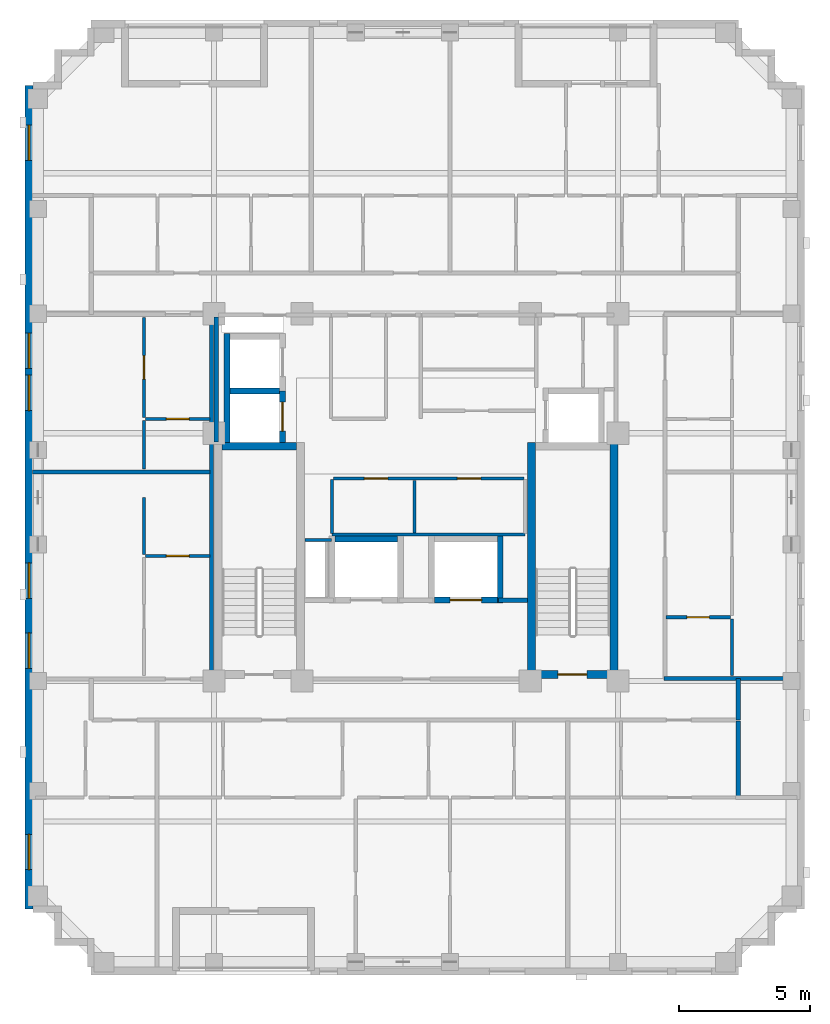
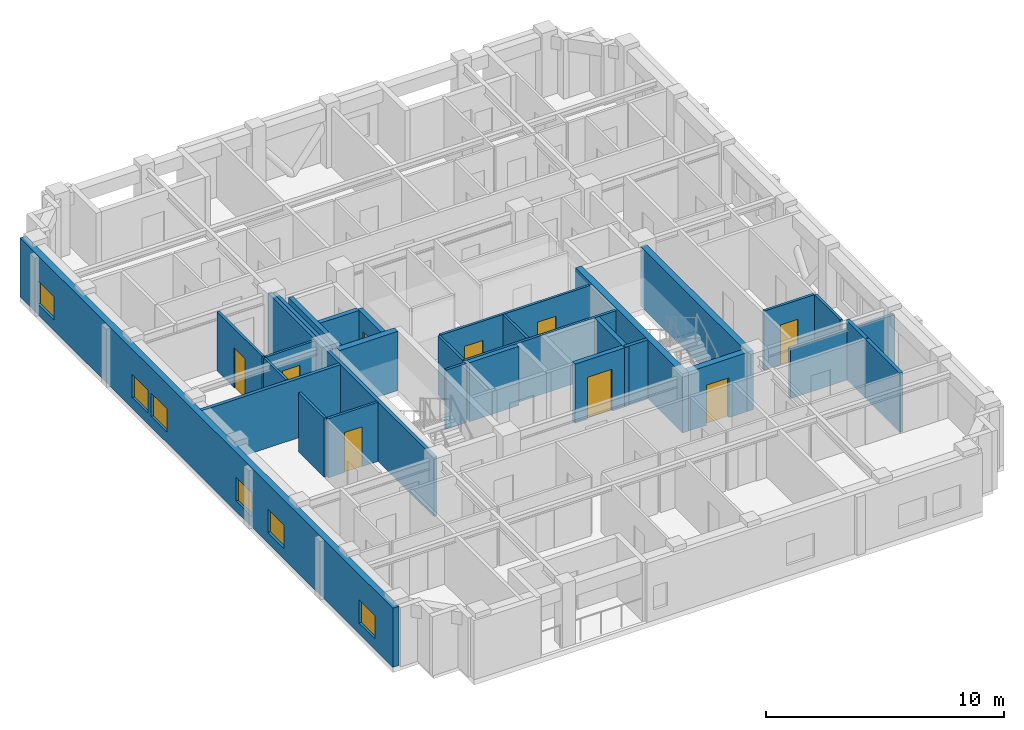
# One storey, part 4 of 11: 30 walls, 9 doors, 6 windows, 15 openings.
"""IFC4 building model written with IfcOpenShell, lengths in metres."""

from ifc_helpers import new_model, si_unit, derived_unit, direction, frame, frame_2d, origin, place, context, subcontext, project, spatial, rectangle, extrude, material, layer, layer_set, type_object, element, fill, save


model = new_model("IFC4")

# Units and contexts
model_context = context("Model", 3, precision=1e-05, world=origin(), true_north=direction((0.0, 1.0)))
body_context = subcontext(model_context, "Body", "Model", "MODEL_VIEW")
ifc_project = project(units=[si_unit("LENGTHUNIT", "METRE"), si_unit("AREAUNIT", "SQUARE_METRE"), si_unit("VOLUMEUNIT", "CUBIC_METRE"), si_unit("PLANEANGLEUNIT", "RADIAN"), si_unit("MASSUNIT", "GRAM", prefix="KILO"), derived_unit("THERMALTRANSMITTANCEUNIT", [(si_unit("MASSUNIT", "GRAM", prefix="KILO"), 1), (si_unit("TIMEUNIT", "SECOND"), -3), (si_unit("THERMODYNAMICTEMPERATUREUNIT", "KELVIN"), -1)])], contexts=[model_context])

# Site, building, storey
site_placement = place(None, origin())
site = spatial("IfcSite", under=ifc_project, at=site_placement, CompositionType="ELEMENT")
building_placement = place(site_placement, origin())
building = spatial("IfcBuilding", under=site, at=building_placement, Name="Korrvale Station Residences", CompositionType="ELEMENT")
storey_placement = place(building_placement, frame((0.0, 0.0, 190.89990234375)))
storey = spatial("IfcBuildingStorey", under=building, at=storey_placement, Name="L55", CompositionType="ELEMENT", Elevation=190.89990234375)

# Walls
ifc_material_1 = material(Name="Concrete C50/60", Category="concrete")
ifc_layer_1 = layer(ifc_material_1, 0.300048828125, Name="Concrete C50/60")
ifc_layer_set_1 = layer_set([ifc_layer_1], Name="Concrete C50/60")
wall_type_1 = type_object("IfcWallType", Name="WAL-CORE-300-C50", PredefinedType="SHEAR", material=ifc_layer_set_1)
wall_1_placement = place(storey_placement, frame((18.10009765625, 23.949951171875, 0.0), z_axis=(0.0, 0.0, 1.0), x_axis=(1.0, 0.0, 0.0)))
element("IfcWall", 1, at=wall_1_placement, inside=storey, type_object=wall_type_1, Name="L55 ST-1 Core Shear Wall North", PredefinedType="SHEAR", context=body_context, shape_type="SweptSolid", body=[
    extrude(rectangle(XDim=2.849853515625, YDim=0.300048828125, at=frame_2d((1.4248046875, 0.0))), origin(), (0.0, 0.0, 1.0), 3.0400390625),
])
for number, where, z_axis, x_axis, name in (
    (2, (29.89990234375, 15.10009765625, 0.0), (0.0, 0.0, 1.0), (0.0, 1.0, 0.0), "L55 ST-2 Core Shear Wall West"),
    (3, (33.050048828125, 15.10009765625, 0.0), (0.0, 0.0, 1.0), (0.0, 1.0, 0.0), "L55 ST-2 Core Shear Wall East"),
):
    element("IfcWall", number, at=place(storey_placement, frame(where, z_axis=z_axis, x_axis=x_axis)), inside=storey, type_object=wall_type_1, Name=name, PredefinedType="SHEAR", context=body_context, shape_type="SweptSolid", body=[
        extrude(rectangle(XDim=9.0, YDim=0.300048828125, at=frame_2d((4.5, 0.0))), origin(), (0.0, 0.0, 1.0), 3.0400390625),
    ])

# Wall, opening, door
wall_2_placement = place(storey_placement, frame((30.050048828125, 15.25, 0.0), z_axis=(0.0, 0.0, 1.0), x_axis=(1.0, 0.0, 0.0)))
wall_2 = element("IfcWall", 4, at=wall_2_placement, inside=storey, type_object=wall_type_1, Name="L55 ST-2 Core Shear Wall South", PredefinedType="SHEAR", context=body_context, shape_type="SweptSolid", body=[
    extrude(rectangle(XDim=2.849853515625, YDim=0.300048828125, at=frame_2d((1.4248046875, 0.0))), origin(), (0.0, 0.0, 1.0), 3.0400390625),
])
opening_1_placement = place(wall_2_placement, frame((0.860107421875, 0.0, 0.0)))
opening_1 = element("IfcOpeningElement", 5, at=opening_1_placement, cuts=wall_2, Name="Opening SD-1100", PredefinedType="OPENING", context=body_context, shape_type="SweptSolid", body=[
    extrude(rectangle(XDim=1.10009765625, YDim=2.050048828125, at=frame_2d((0.550048828125, 1.02490234375))), frame((0.0, 0.16015625, 0.0), z_axis=(0.0, -1.0, 0.0), x_axis=(1.0, 0.0, 0.0)), (0.0, 0.0, 1.0), 0.320068359375),
])
ifc_material_2 = material(Name="Hollow-metal fire-rated stair door with closer", Category="steel")
door_type_1 = type_object("IfcDoorType", Name="DR-STAIR-1100", OperationType="NOTDEFINED", PredefinedType="DOOR", material=ifc_material_2)
door_1_placement = place(opening_1_placement, origin())
door_1 = element("IfcDoor", 6, at=door_1_placement, inside=storey, type_object=door_type_1, Name="L55 ST-2 Exit Stair Door", OperationType="SINGLE_SWING_RIGHT", OverallHeight=2.050048828125, OverallWidth=1.10009765625, PredefinedType="DOOR", context=body_context, shape_type="SweptSolid", body=[
    extrude(rectangle(XDim=1.10009765625, YDim=2.050048828125, at=frame_2d((0.550048828125, 1.02490234375))), frame((0.0, 0.02490234375, 0.0), z_axis=(0.0, -1.0, 0.0), x_axis=(1.0, 0.0, 0.0)), (0.0, 0.0, 1.0), 0.050048828125),
])
fill(opening_1, door_1)

# Wall, openings, windows
ifc_material_3 = material(Name="Precast concrete C45/55", Category="concrete")
ifc_layer_2 = layer(ifc_material_3, 0.300048828125, Name="Precast concrete C45/55")
ifc_layer_set_2 = layer_set([ifc_layer_2], Name="Precast concrete C45/55")
wall_type_2 = type_object("IfcWallType", Name="WAL-EXT-PC300", PredefinedType="SOLIDWALL", material=ifc_layer_set_2)
wall_3_placement = place(storey_placement, frame((10.75, 6.300048828125, 0.0), z_axis=(0.0, 0.0, 1.0), x_axis=(0.0, 1.0, 0.0)))
wall_3 = element("IfcWall", 7, at=wall_3_placement, inside=storey, type_object=wall_type_2, Name="L55 West Exterior Precast Wall 1", PredefinedType="SOLIDWALL", context=body_context, shape_type="SweptSolid", body=[
    extrude(rectangle(XDim=31.39990234375, YDim=0.300048828125, at=frame_2d((15.699951171875, 0.0))), origin(), (0.0, 0.0, 1.0), 3.0400390625),
])
opening_2_placement = place(wall_3_placement, frame((1.50390625, 0.0, 0.550048828125)))
opening_2 = element("IfcOpeningElement", 8, at=opening_2_placement, cuts=wall_3, Name="Opening W-10", PredefinedType="OPENING", context=body_context, shape_type="SweptSolid", body=[
    extrude(rectangle(XDim=1.35009765625, YDim=1.199951171875, at=frame_2d((0.675048828125, 0.60009765625))), frame((0.0, 0.16015625, 0.0), z_axis=(0.0, -1.0, 0.0), x_axis=(1.0, 0.0, 0.0)), (0.0, 0.0, 1.0), 0.320068359375),
])
opening_3_placement = place(wall_3_placement, frame((28.5458984375, 0.0, 0.550048828125)))
opening_3 = element("IfcOpeningElement", 9, at=opening_3_placement, cuts=wall_3, Name="Opening W-10", PredefinedType="OPENING", context=body_context, shape_type="SweptSolid", body=[
    extrude(rectangle(XDim=1.35009765625, YDim=1.199951171875, at=frame_2d((0.675048828125, 0.60009765625))), frame((0.0, 0.16015625, 0.0), z_axis=(0.0, -1.0, 0.0), x_axis=(1.0, 0.0, 0.0)), (0.0, 0.0, 1.0), 0.320068359375),
])
opening_4_placement = place(wall_3_placement, frame((11.85009765625, 0.0, 0.550048828125)))
opening_4 = element("IfcOpeningElement", 10, at=opening_4_placement, cuts=wall_3, Name="Opening W-10", PredefinedType="OPENING", context=body_context, shape_type="SweptSolid", body=[
    extrude(rectangle(XDim=1.35009765625, YDim=1.199951171875, at=frame_2d((0.675048828125, 0.60009765625))), frame((0.0, 0.16015625, 0.0), z_axis=(0.0, -1.0, 0.0), x_axis=(1.0, 0.0, 0.0)), (0.0, 0.0, 1.0), 0.320068359375),
])
opening_5_placement = place(wall_3_placement, frame((9.18505859375, 0.0, 0.550048828125)))
opening_5 = element("IfcOpeningElement", 11, at=opening_5_placement, cuts=wall_3, Name="Opening W-10", PredefinedType="OPENING", context=body_context, shape_type="SweptSolid", body=[
    extrude(rectangle(XDim=1.35009765625, YDim=1.199951171875, at=frame_2d((0.675048828125, 0.60009765625))), frame((0.0, 0.16015625, 0.0), z_axis=(0.0, -1.0, 0.0), x_axis=(1.0, 0.0, 0.0)), (0.0, 0.0, 1.0), 0.320068359375),
])
opening_6_placement = place(wall_3_placement, frame((19.006103515625, 0.0, 0.550048828125)))
opening_6 = element("IfcOpeningElement", 12, at=opening_6_placement, cuts=wall_3, Name="Opening W-10", PredefinedType="OPENING", context=body_context, shape_type="SweptSolid", body=[
    extrude(rectangle(XDim=1.35009765625, YDim=1.199951171875, at=frame_2d((0.675048828125, 0.60009765625))), frame((0.0, 0.16015625, 0.0), z_axis=(0.0, -1.0, 0.0), x_axis=(1.0, 0.0, 0.0)), (0.0, 0.0, 1.0), 0.320068359375),
])
opening_7_placement = place(wall_3_placement, frame((20.615966796875, 0.0, 0.550048828125)))
opening_7 = element("IfcOpeningElement", 13, at=opening_7_placement, cuts=wall_3, Name="Opening W-10", PredefinedType="OPENING", context=body_context, shape_type="SweptSolid", body=[
    extrude(rectangle(XDim=1.35009765625, YDim=1.199951171875, at=frame_2d((0.675048828125, 0.60009765625))), frame((0.0, 0.16015625, 0.0), z_axis=(0.0, -1.0, 0.0), x_axis=(1.0, 0.0, 0.0)), (0.0, 0.0, 1.0), 0.320068359375),
])
ifc_material_4 = material(Name="Thermally broken aluminium frame with triple low-e glazing", Category="aluminium")
window_type = type_object("IfcWindowType", Name="WIN-W10", PartitioningType="SINGLE_PANEL", PredefinedType="WINDOW", material=ifc_material_4)
window_1_placement = place(opening_2_placement, origin())
window_1 = element("IfcWindow", 14, at=window_1_placement, inside=storey, type_object=window_type, Name="L55 Punched Window 01", OverallHeight=1.199951171875, OverallWidth=1.35009765625, PartitioningType="SINGLE_PANEL", PredefinedType="WINDOW", context=body_context, shape_type="SweptSolid", body=[
    extrude(rectangle(XDim=1.35009765625, YDim=1.199951171875, at=frame_2d((0.675048828125, 0.60009765625))), frame((0.0, 0.030029296875, 0.0), z_axis=(0.0, -1.0, 0.0), x_axis=(1.0, 0.0, 0.0)), (0.0, 0.0, 1.0), 0.06005859375),
])
fill(opening_2, window_1)
window_2_placement = place(opening_3_placement, origin())
window_2 = element("IfcWindow", 15, at=window_2_placement, inside=storey, type_object=window_type, Name="L55 Punched Window 06", OverallHeight=1.199951171875, OverallWidth=1.35009765625, PartitioningType="SINGLE_PANEL", PredefinedType="WINDOW", context=body_context, shape_type="SweptSolid", body=[
    extrude(rectangle(XDim=1.35009765625, YDim=1.199951171875, at=frame_2d((0.675048828125, 0.60009765625))), frame((0.0, 0.030029296875, 0.0), z_axis=(0.0, -1.0, 0.0), x_axis=(1.0, 0.0, 0.0)), (0.0, 0.0, 1.0), 0.06005859375),
])
fill(opening_3, window_2)
window_3_placement = place(opening_4_placement, origin())
window_3 = element("IfcWindow", 16, at=window_3_placement, inside=storey, type_object=window_type, Name="L55 Punched Window 11", OverallHeight=1.199951171875, OverallWidth=1.35009765625, PartitioningType="SINGLE_PANEL", PredefinedType="WINDOW", context=body_context, shape_type="SweptSolid", body=[
    extrude(rectangle(XDim=1.35009765625, YDim=1.199951171875, at=frame_2d((0.675048828125, 0.60009765625))), frame((0.0, 0.030029296875, 0.0), z_axis=(0.0, -1.0, 0.0), x_axis=(1.0, 0.0, 0.0)), (0.0, 0.0, 1.0), 0.06005859375),
])
fill(opening_4, window_3)
window_4_placement = place(opening_5_placement, origin())
window_4 = element("IfcWindow", 17, at=window_4_placement, inside=storey, type_object=window_type, Name="L55 Punched Window 12", OverallHeight=1.199951171875, OverallWidth=1.35009765625, PartitioningType="SINGLE_PANEL", PredefinedType="WINDOW", context=body_context, shape_type="SweptSolid", body=[
    extrude(rectangle(XDim=1.35009765625, YDim=1.199951171875, at=frame_2d((0.675048828125, 0.60009765625))), frame((0.0, 0.030029296875, 0.0), z_axis=(0.0, -1.0, 0.0), x_axis=(1.0, 0.0, 0.0)), (0.0, 0.0, 1.0), 0.06005859375),
])
fill(opening_5, window_4)
window_5_placement = place(opening_6_placement, origin())
window_5 = element("IfcWindow", 18, at=window_5_placement, inside=storey, type_object=window_type, Name="L55 Punched Window 13", OverallHeight=1.199951171875, OverallWidth=1.35009765625, PartitioningType="SINGLE_PANEL", PredefinedType="WINDOW", context=body_context, shape_type="SweptSolid", body=[
    extrude(rectangle(XDim=1.35009765625, YDim=1.199951171875, at=frame_2d((0.675048828125, 0.60009765625))), frame((0.0, 0.030029296875, 0.0), z_axis=(0.0, -1.0, 0.0), x_axis=(1.0, 0.0, 0.0)), (0.0, 0.0, 1.0), 0.06005859375),
])
fill(opening_6, window_5)
window_6_placement = place(opening_7_placement, origin())
window_6 = element("IfcWindow", 19, at=window_6_placement, inside=storey, type_object=window_type, Name="L55 Punched Window 14", OverallHeight=1.199951171875, OverallWidth=1.35009765625, PartitioningType="SINGLE_PANEL", PredefinedType="WINDOW", context=body_context, shape_type="SweptSolid", body=[
    extrude(rectangle(XDim=1.35009765625, YDim=1.199951171875, at=frame_2d((0.675048828125, 0.60009765625))), frame((0.0, 0.030029296875, 0.0), z_axis=(0.0, -1.0, 0.0), x_axis=(1.0, 0.0, 0.0)), (0.0, 0.0, 1.0), 0.06005859375),
])
fill(opening_7, window_6)

# Walls
ifc_material_5 = material(Name="Acoustic steel-stud gypsum board partition", Category="steel")
ifc_layer_3 = layer(ifc_material_5, 0.1201171875, Name="Acoustic steel-stud gypsum board partition")
ifc_layer_set_3 = layer_set([ifc_layer_3], Name="Acoustic steel-stud gypsum board partition")
wall_type_3 = type_object("IfcWallType", Name="WAL-PART-125", PredefinedType="PARTITIONING", material=ifc_layer_set_3)
wall_4_placement = place(storey_placement, frame((22.280029296875, 20.3798828125, 0.0), z_axis=(0.0, 0.0, 1.0), x_axis=(-1.0, 0.0, 0.0)))
element("IfcWall", 20, at=wall_4_placement, inside=storey, type_object=wall_type_3, Name="L55 Core Partition CW-RSWT-N", PredefinedType="PARTITIONING", context=body_context, shape_type="SweptSolid", body=[
    extrude(rectangle(XDim=1.02001953125, YDim=0.1201171875, at=frame_2d((0.510009765625, 0.0))), origin(), (0.0, 0.0, 1.0), 3.0400390625),
])
wall_5_placement = place(storey_placement, frame((22.300048828125, 20.580078125, 0.0), z_axis=(0.0, 0.0, 1.0), x_axis=(1.0, 0.0, 0.0)))
element("IfcWall", 21, at=wall_5_placement, inside=storey, type_object=wall_type_3, Name="L55 Core Partition CW-FPM-S", PredefinedType="PARTITIONING", context=body_context, shape_type="SweptSolid", body=[
    extrude(rectangle(XDim=7.349853515625, YDim=0.1201171875, at=frame_2d((3.6748046875, 0.0))), origin(), (0.0, 0.0, 1.0), 3.0400390625),
])
wall_6_placement = place(storey_placement, frame((22.300048828125, 20.6201171875, 0.0), z_axis=(0.0, 0.0, 1.0), x_axis=(0.0, 1.0, 0.0)))
element("IfcWall", 22, at=wall_6_placement, inside=storey, type_object=wall_type_3, Name="L55 Core Partition CW-FPM-W", PredefinedType="PARTITIONING", context=body_context, shape_type="SweptSolid", body=[
    extrude(rectangle(XDim=2.059814453125, YDim=0.1201171875, at=frame_2d((1.02978515625, 0.0))), origin(), (0.0, 0.0, 1.0), 3.0400390625),
])
wall_7_placement = place(storey_placement, frame((25.43994140625, 20.64990234375, 0.0), z_axis=(0.0, 0.0, 1.0), x_axis=(0.0, 1.0, 0.0)))
element("IfcWall", 23, at=wall_7_placement, inside=storey, type_object=wall_type_3, Name="L55 Core Partition CW-FPM-M", PredefinedType="PARTITIONING", context=body_context, shape_type="SweptSolid", body=[
    extrude(rectangle(XDim=2.0, YDim=0.1201171875, at=frame_2d((1.0, 0.0))), origin(), (0.0, 0.0, 1.0), 3.0400390625),
])

# Wall, openings, doors
wall_8_placement = place(storey_placement, frame((22.35009765625, 22.719970703125, 0.0), z_axis=(0.0, 0.0, 1.0), x_axis=(1.0, 0.0, 0.0)))
wall_8 = element("IfcWall", 24, at=wall_8_placement, inside=storey, type_object=wall_type_3, Name="L55 Core Partition CW-FPM-N", PredefinedType="PARTITIONING", context=body_context, shape_type="SweptSolid", body=[
    extrude(rectangle(XDim=7.27001953125, YDim=0.1201171875, at=frame_2d((3.635009765625, 0.0))), origin(), (0.0, 0.0, 1.0), 3.0400390625),
])
opening_8_placement = place(wall_8_placement, frame((1.175048828125, 0.0, 0.0)))
opening_8 = element("IfcOpeningElement", 25, at=opening_8_placement, cuts=wall_8, Name="Opening DI-900", PredefinedType="OPENING", context=body_context, shape_type="SweptSolid", body=[
    extrude(rectangle(XDim=0.89990234375, YDim=2.050048828125, at=frame_2d((0.449951171875, 1.02490234375))), frame((0.0, 0.070068359375, 0.0), z_axis=(0.0, -1.0, 0.0), x_axis=(1.0, 0.0, 0.0)), (0.0, 0.0, 1.0), 0.14013671875),
])
opening_9_placement = place(wall_8_placement, frame((4.72509765625, 0.0, 0.0)))
opening_9 = element("IfcOpeningElement", 26, at=opening_9_placement, cuts=wall_8, Name="Opening DI-900", PredefinedType="OPENING", context=body_context, shape_type="SweptSolid", body=[
    extrude(rectangle(XDim=0.89990234375, YDim=2.050048828125, at=frame_2d((0.449951171875, 1.02490234375))), frame((0.0, 0.070068359375, 0.0), z_axis=(0.0, -1.0, 0.0), x_axis=(1.0, 0.0, 0.0)), (0.0, 0.0, 1.0), 0.14013671875),
])
ifc_material_6 = material(Name="Painted solid-core timber interior room door", Category="wood")
door_type_2 = type_object("IfcDoorType", Name="DR-INT-900", OperationType="NOTDEFINED", PredefinedType="DOOR", material=ifc_material_6)
door_2_placement = place(opening_8_placement, origin())
door_2 = element("IfcDoor", 27, at=door_2_placement, inside=storey, type_object=door_type_2, Name="L55 Sky Pantry Door", OperationType="SINGLE_SWING_LEFT", OverallHeight=2.050048828125, OverallWidth=0.89990234375, PredefinedType="DOOR", context=body_context, shape_type="SweptSolid", body=[
    extrude(rectangle(XDim=0.89990234375, YDim=2.050048828125, at=frame_2d((0.449951171875, 1.02490234375))), frame((0.0, 0.02490234375, 0.0), z_axis=(0.0, -1.0, 0.0), x_axis=(1.0, 0.0, 0.0)), (0.0, 0.0, 1.0), 0.050048828125),
])
fill(opening_8, door_2)
door_3_placement = place(opening_9_placement, origin())
door_3 = element("IfcDoor", 28, at=door_3_placement, inside=storey, type_object=door_type_2, Name="L55 Concierge Supply Door", OperationType="SINGLE_SWING_RIGHT", OverallHeight=2.050048828125, OverallWidth=0.89990234375, PredefinedType="DOOR", context=body_context, shape_type="SweptSolid", body=[
    extrude(rectangle(XDim=0.89990234375, YDim=2.050048828125, at=frame_2d((0.449951171875, 1.02490234375))), frame((0.0, 0.02490234375, 0.0), z_axis=(0.0, -1.0, 0.0), x_axis=(1.0, 0.0, 0.0)), (0.0, 0.0, 1.0), 0.050048828125),
])
fill(opening_9, door_3)

# Wall, opening, door
wall_9_placement = place(storey_placement, frame((15.18994140625, 19.77001953125, 0.0), z_axis=(0.0, 0.0, 1.0), x_axis=(1.0, 0.0, 0.0)))
wall_9 = element("IfcWall", 29, at=wall_9_placement, inside=storey, type_object=wall_type_3, Name="L55 Suite Partition U07-H01", PredefinedType="PARTITIONING", context=body_context, shape_type="SweptSolid", body=[
    extrude(rectangle(XDim=2.449951171875, YDim=0.1201171875, at=frame_2d((1.22509765625, 0.0))), origin(), (0.0, 0.0, 1.0), 3.0400390625),
])
opening_10_placement = place(wall_9_placement, frame((0.794921875, 0.0, 0.0)))
opening_10 = element("IfcOpeningElement", 30, at=opening_10_placement, cuts=wall_9, Name="Opening DB-860", PredefinedType="OPENING", context=body_context, shape_type="SweptSolid", body=[
    extrude(rectangle(XDim=0.860107421875, YDim=2.050048828125, at=frame_2d((0.43017578125, 1.02490234375))), frame((0.0, 0.070068359375, 0.0), z_axis=(0.0, -1.0, 0.0), x_axis=(1.0, 0.0, 0.0)), (0.0, 0.0, 1.0), 0.14013671875),
])
ifc_material_7 = material(Name="Moisture-resistant solid-core bathroom door", Category="timber")
door_type_3 = type_object("IfcDoorType", Name="DR-BATH-860", OperationType="NOTDEFINED", PredefinedType="DOOR", material=ifc_material_7)
door_4_placement = place(opening_10_placement, origin())
door_4 = element("IfcDoor", 31, at=door_4_placement, inside=storey, type_object=door_type_3, Name="L55 Studio Apartment L55-U07 Bathroom Door", OperationType="SINGLE_SWING_LEFT", OverallHeight=2.050048828125, OverallWidth=0.860107421875, PredefinedType="DOOR", context=body_context, shape_type="SweptSolid", body=[
    extrude(rectangle(XDim=0.860107421875, YDim=2.050048828125, at=frame_2d((0.43017578125, 1.02490234375))), frame((0.0, 0.02490234375, 0.0), z_axis=(0.0, -1.0, 0.0), x_axis=(1.0, 0.0, 0.0)), (0.0, 0.0, 1.0), 0.050048828125),
])
fill(opening_10, door_4)

# Wall
wall_10_placement = place(storey_placement, frame((15.1298828125, 19.830078125, 0.0), z_axis=(0.0, 0.0, 1.0), x_axis=(0.0, 1.0, 0.0)))
element("IfcWall", 32, at=wall_10_placement, inside=storey, type_object=wall_type_3, Name="L55 Suite Partition U07-V02", PredefinedType="PARTITIONING", context=body_context, shape_type="SweptSolid", body=[
    extrude(rectangle(XDim=2.158935546875, YDim=0.1201171875, at=frame_2d((1.07958984375, 0.0))), origin(), (0.0, 0.0, 1.0), 3.0400390625),
])

# Wall, opening, door
wall_11_placement = place(storey_placement, frame((15.18994140625, 24.991943359375, 0.0), z_axis=(0.0, 0.0, 1.0), x_axis=(1.0, 0.0, 0.0)))
wall_11 = element("IfcWall", 33, at=wall_11_placement, inside=storey, type_object=wall_type_3, Name="L55 Suite Partition U08-H01", PredefinedType="PARTITIONING", context=body_context, shape_type="SweptSolid", body=[
    extrude(rectangle(XDim=2.449951171875, YDim=0.1201171875, at=frame_2d((1.22509765625, 0.0))), origin(), (0.0, 0.0, 1.0), 3.0400390625),
])
opening_11_placement = place(wall_11_placement, frame((0.794921875, 0.0, 0.0)))
opening_11 = element("IfcOpeningElement", 34, at=opening_11_placement, cuts=wall_11, Name="Opening DB-860", PredefinedType="OPENING", context=body_context, shape_type="SweptSolid", body=[
    extrude(rectangle(XDim=0.860107421875, YDim=2.050048828125, at=frame_2d((0.43017578125, 1.02490234375))), frame((0.0, 0.070068359375, 0.0), z_axis=(0.0, -1.0, 0.0), x_axis=(1.0, 0.0, 0.0)), (0.0, 0.0, 1.0), 0.14013671875),
])
door_5_placement = place(opening_11_placement, origin())
door_5 = element("IfcDoor", 35, at=door_5_placement, inside=storey, type_object=door_type_3, Name="L55 Studio Apartment L55-U08 Bathroom Door", OperationType="SINGLE_SWING_RIGHT", OverallHeight=2.050048828125, OverallWidth=0.860107421875, PredefinedType="DOOR", context=body_context, shape_type="SweptSolid", body=[
    extrude(rectangle(XDim=0.860107421875, YDim=2.050048828125, at=frame_2d((0.43017578125, 1.02490234375))), frame((0.0, 0.02490234375, 0.0), z_axis=(0.0, -1.0, 0.0), x_axis=(1.0, 0.0, 0.0)), (0.0, 0.0, 1.0), 0.050048828125),
])
fill(opening_11, door_5)

# Wall
wall_12_placement = place(storey_placement, frame((15.1298828125, 23.08203125, 0.0), z_axis=(0.0, 0.0, 1.0), x_axis=(0.0, 1.0, 0.0)))
element("IfcWall", 36, at=wall_12_placement, inside=storey, type_object=wall_type_3, Name="L55 Suite Partition U08-V02", PredefinedType="PARTITIONING", context=body_context, shape_type="SweptSolid", body=[
    extrude(rectangle(XDim=1.849853515625, YDim=0.1201171875, at=frame_2d((0.9248046875, 0.0))), origin(), (0.0, 0.0, 1.0), 3.0400390625),
])

# Wall, opening, door
wall_13_placement = place(storey_placement, frame((15.1298828125, 25.052001953125, 0.0), z_axis=(0.0, 0.0, 1.0), x_axis=(0.0, 1.0, 0.0)))
wall_13 = element("IfcWall", 37, at=wall_13_placement, inside=storey, type_object=wall_type_3, Name="L55 Suite Partition U08-V12", PredefinedType="PARTITIONING", context=body_context, shape_type="SweptSolid", body=[
    extrude(rectangle(XDim=3.80810546875, YDim=0.1201171875, at=frame_2d((1.904052734375, 0.0))), origin(), (0.0, 0.0, 1.0), 3.0400390625),
])
opening_12_placement = place(wall_13_placement, frame((1.4541015625, 0.0, 0.0)))
opening_12 = element("IfcOpeningElement", 38, at=opening_12_placement, cuts=wall_13, Name="Opening DI-900", PredefinedType="OPENING", context=body_context, shape_type="SweptSolid", body=[
    extrude(rectangle(XDim=0.89990234375, YDim=2.050048828125, at=frame_2d((0.449951171875, 1.02490234375))), frame((0.0, 0.070068359375, 0.0), z_axis=(0.0, -1.0, 0.0), x_axis=(1.0, 0.0, 0.0)), (0.0, 0.0, 1.0), 0.14013671875),
])
door_6_placement = place(opening_12_placement, origin())
door_6 = element("IfcDoor", 39, at=door_6_placement, inside=storey, type_object=door_type_2, Name="L55 Studio Apartment L55-U08 Kitchen Door", OperationType="SINGLE_SWING_LEFT", OverallHeight=2.050048828125, OverallWidth=0.89990234375, PredefinedType="DOOR", context=body_context, shape_type="SweptSolid", body=[
    extrude(rectangle(XDim=0.89990234375, YDim=2.050048828125, at=frame_2d((0.449951171875, 1.02490234375))), frame((0.0, 0.02490234375, 0.0), z_axis=(0.0, -1.0, 0.0), x_axis=(1.0, 0.0, 0.0)), (0.0, 0.0, 1.0), 0.050048828125),
])
fill(opening_12, door_6)

wall_14_placement = place(storey_placement, frame((35.030029296875, 17.428955078125, 0.0), z_axis=(0.0, 0.0, 1.0), x_axis=(1.0, 0.0, 0.0)))
wall_14 = element("IfcWall", 40, at=wall_14_placement, inside=storey, type_object=wall_type_3, Name="L55 Suite Partition U09-H01", PredefinedType="PARTITIONING", context=body_context, shape_type="SweptSolid", body=[
    extrude(rectangle(XDim=2.449951171875, YDim=0.1201171875, at=frame_2d((1.22509765625, 0.0))), origin(), (0.0, 0.0, 1.0), 3.0400390625),
])
opening_13_placement = place(wall_14_placement, frame((0.794921875, 0.0, 0.0)))
opening_13 = element("IfcOpeningElement", 41, at=opening_13_placement, cuts=wall_14, Name="Opening DB-860", PredefinedType="OPENING", context=body_context, shape_type="SweptSolid", body=[
    extrude(rectangle(XDim=0.860107421875, YDim=2.050048828125, at=frame_2d((0.43017578125, 1.02490234375))), frame((0.0, 0.070068359375, 0.0), z_axis=(0.0, -1.0, 0.0), x_axis=(1.0, 0.0, 0.0)), (0.0, 0.0, 1.0), 0.14013671875),
])
door_7_placement = place(opening_13_placement, origin())
door_7 = element("IfcDoor", 42, at=door_7_placement, inside=storey, type_object=door_type_3, Name="L55 Apartment 1BR L55-U09 Bathroom Door", OperationType="SINGLE_SWING_RIGHT", OverallHeight=2.050048828125, OverallWidth=0.860107421875, PredefinedType="DOOR", context=body_context, shape_type="SweptSolid", body=[
    extrude(rectangle(XDim=0.860107421875, YDim=2.050048828125, at=frame_2d((0.43017578125, 1.02490234375))), frame((0.0, 0.02490234375, 0.0), z_axis=(0.0, -1.0, 0.0), x_axis=(1.0, 0.0, 0.0)), (0.0, 0.0, 1.0), 0.050048828125),
])
fill(opening_13, door_7)

# Walls
wall_15_placement = place(storey_placement, frame((37.5400390625, 15.2099609375, 0.0), z_axis=(0.0, 0.0, 1.0), x_axis=(0.0, 1.0, 0.0)))
element("IfcWall", 43, at=wall_15_placement, inside=storey, type_object=wall_type_3, Name="L55 Suite Partition U09-V02", PredefinedType="PARTITIONING", context=body_context, shape_type="SweptSolid", body=[
    extrude(rectangle(XDim=2.158935546875, YDim=0.1201171875, at=frame_2d((1.07958984375, 0.0))), origin(), (0.0, 0.0, 1.0), 3.0400390625),
])
ifc_material_8 = material(Name="Fire-rated twin-stud gypsum and mineral wool shaftwall assembly", Category="gypsum")
ifc_layer_4 = layer(ifc_material_8, 0.159912109375, Name="Fire-rated twin-stud gypsum and mineral wool shaftwall assembly")
ifc_layer_set_4 = layer_set([ifc_layer_4], Name="Fire-rated twin-stud gypsum and mineral wool shaftwall assembly")
wall_type_4 = type_object("IfcWallType", Name="WAL-PART-200", PredefinedType="PARTITIONING", material=ifc_layer_set_4)
wall_16_placement = place(storey_placement, frame((28.64990234375, 18.080078125, 0.0), z_axis=(0.0, 0.0, 1.0), x_axis=(1.0, 0.0, 0.0)))
element("IfcWall", 44, at=wall_16_placement, inside=storey, type_object=wall_type_4, Name="L55 Core Partition CW-FFL-N3", PredefinedType="PARTITIONING", context=body_context, shape_type="SweptSolid", body=[
    extrude(rectangle(XDim=1.10009765625, YDim=0.159912109375, at=frame_2d((0.550048828125, 0.0))), origin(), (0.0, 0.0, 1.0), 3.0400390625),
])
wall_17_placement = place(storey_placement, frame((17.8798828125, 24.1201171875, 0.0), z_axis=(0.0, 0.0, 1.0), x_axis=(0.0, 1.0, 0.0)))
element("IfcWall", 45, at=wall_17_placement, inside=storey, type_object=wall_type_4, Name="L55 Core Partition CW-W-N", PredefinedType="PARTITIONING", context=body_context, shape_type="SweptSolid", body=[
    extrude(rectangle(XDim=4.759765625, YDim=0.159912109375, at=frame_2d((2.3798828125, 0.0))), origin(), (0.0, 0.0, 1.0), 3.0400390625),
])
wall_18_placement = place(storey_placement, frame((37.780029296875, 13.510009765625, 0.0), z_axis=(0.0, 0.0, 1.0), x_axis=(0.0, 1.0, 0.0)))
element("IfcWall", 46, at=wall_18_placement, inside=storey, type_object=wall_type_4, Name="L55 Corridor South East Cap", PredefinedType="PARTITIONING", context=body_context, shape_type="SweptSolid", body=[
    extrude(rectangle(XDim=1.580078125, YDim=0.159912109375, at=frame_2d((0.7900390625, 0.0))), origin(), (0.0, 0.0, 1.0), 3.0400390625),
])
wall_19_placement = place(storey_placement, frame((34.949951171875, 15.090087890625, 0.0), z_axis=(0.0, 0.0, 1.0), x_axis=(1.0, 0.0, 0.0)))
element("IfcWall", 47, at=wall_19_placement, inside=storey, type_object=wall_type_4, Name="L55 East Wing South Corridor Wall", PredefinedType="PARTITIONING", context=body_context, shape_type="SweptSolid", body=[
    extrude(rectangle(XDim=5.070068359375, YDim=0.159912109375, at=frame_2d((2.53515625, 0.0))), origin(), (0.0, 0.0, 1.0), 2.55615234375),
])
wall_20_placement = place(storey_placement, frame((37.780029296875, 10.56005859375, 0.0), z_axis=(0.0, 0.0, 1.0), x_axis=(0.0, 1.0, 0.0)))
element("IfcWall", 48, at=wall_20_placement, inside=storey, type_object=wall_type_4, Name="L55 Corner Step Cheek U03-R", PredefinedType="PARTITIONING", context=body_context, shape_type="SweptSolid", body=[
    extrude(rectangle(XDim=2.909912109375, YDim=0.159912109375, at=frame_2d((1.455078125, 0.0))), origin(), (0.0, 0.0, 1.0), 3.0400390625),
])
wall_21_placement = place(storey_placement, frame((10.8798828125, 22.9619140625, 0.0), z_axis=(0.0, 0.0, 1.0), x_axis=(1.0, 0.0, 0.0)))
element("IfcWall", 49, at=wall_21_placement, inside=storey, type_object=wall_type_4, Name="L55 Demising Wall U07-N", PredefinedType="PARTITIONING", context=body_context, shape_type="SweptSolid", body=[
    extrude(rectangle(XDim=6.760009765625, YDim=0.159912109375, at=frame_2d((3.3798828125, 0.0))), origin(), (0.0, 0.0, 1.0), 3.0400390625),
])
wall_22_placement = place(storey_placement, frame((17.699951171875, 15.02001953125, 0.0), z_axis=(0.0, 0.0, 1.0), x_axis=(0.0, 1.0, 0.0)))
element("IfcWall", 50, at=wall_22_placement, inside=storey, type_object=wall_type_4, Name="L55 Rated Corridor Wall W", PredefinedType="PARTITIONING", context=body_context, shape_type="SweptSolid", body=[
    extrude(rectangle(XDim=13.97998046875, YDim=0.159912109375, at=frame_2d((6.989990234375, 0.0))), origin(), (0.0, 0.0, 1.0), 3.0400390625),
])
ifc_layer_5 = layer(ifc_material_1, 0.219970703125, Name="Concrete C50/60")
ifc_layer_set_5 = layer_set([ifc_layer_5], Name="Concrete C50/60")
wall_type_5 = type_object("IfcWallType", Name="WAL-SHAFT-220-C50", PredefinedType="SHEAR", material=ifc_layer_set_5)
wall_23_placement = place(storey_placement, frame((18.2900390625, 24.10009765625, 0.0), z_axis=(0.0, 0.0, 1.0), x_axis=(0.0, 1.0, 0.0)))
element("IfcWall", 51, at=wall_23_placement, inside=storey, type_object=wall_type_5, Name="L55 Elevator PH-1 Hoistway Wall West", PredefinedType="SHEAR", context=body_context, shape_type="SweptSolid", body=[
    extrude(rectangle(XDim=4.139892578125, YDim=0.219970703125, at=frame_2d((2.06982421875, 0.0))), origin(), (0.0, 0.0, 1.0), 3.0400390625),
])

# Wall, opening, door
wall_24_placement = place(storey_placement, frame((20.409912109375, 24.10009765625, 0.0), z_axis=(0.0, 0.0, 1.0), x_axis=(0.0, 1.0, 0.0)))
wall_24 = element("IfcWall", 52, at=wall_24_placement, inside=storey, type_object=wall_type_5, Name="L55 Elevator PH-1 Hoistway Wall East", PredefinedType="SHEAR", context=body_context, shape_type="SweptSolid", body=[
    extrude(rectangle(XDim=1.9599609375, YDim=0.219970703125, at=frame_2d((0.97998046875, 0.0))), origin(), (0.0, 0.0, 1.0), 3.0400390625),
])
opening_14_placement = place(wall_24_placement, frame((0.429931640625, 0.0, 0.0)))
opening_14 = element("IfcOpeningElement", 53, at=opening_14_placement, cuts=wall_24, Name="Opening LD-1100", PredefinedType="OPENING", context=body_context, shape_type="SweptSolid", body=[
    extrude(rectangle(XDim=1.10009765625, YDim=2.14990234375, at=frame_2d((0.550048828125, 1.074951171875))), frame((0.0, 0.1201171875, 0.0), z_axis=(0.0, -1.0, 0.0), x_axis=(1.0, 0.0, 0.0)), (0.0, 0.0, 1.0), 0.239990234375),
])
ifc_material_9 = material(Name="Brushed stainless-steel elevator landing sliding door", Category="steel")
door_type_4 = type_object("IfcDoorType", Name="DR-LIFT-1100", OperationType="SLIDING_TO_LEFT", PredefinedType="DOOR", material=ifc_material_9)
door_8_placement = place(opening_14_placement, origin())
door_8 = element("IfcDoor", 54, at=door_8_placement, inside=storey, type_object=door_type_4, Name="L55 Elevator PH-1 Sliding Landing Door", OperationType="SLIDING_TO_LEFT", OverallHeight=2.14990234375, OverallWidth=1.10009765625, PredefinedType="DOOR", context=body_context, shape_type="SweptSolid", body=[
    extrude(rectangle(XDim=1.10009765625, YDim=2.14990234375, at=frame_2d((0.550048828125, 1.074951171875))), frame((0.0, 0.02490234375, 0.0), z_axis=(0.0, -1.0, 0.0), x_axis=(1.0, 0.0, 0.0)), (0.0, 0.0, 1.0), 0.050048828125),
])
fill(opening_14, door_8)

# Walls
wall_25_placement = place(storey_placement, frame((18.39990234375, 26.06005859375, 0.0), z_axis=(0.0, 0.0, 1.0), x_axis=(1.0, 0.0, 0.0)))
element("IfcWall", 55, at=wall_25_placement, inside=storey, type_object=wall_type_5, Name="L55 Elevator PH-2 Hoistway Wall South", PredefinedType="SHEAR", context=body_context, shape_type="SweptSolid", body=[
    extrude(rectangle(XDim=1.900146484375, YDim=0.219970703125, at=frame_2d((0.9501953125, 0.0))), origin(), (0.0, 0.0, 1.0), 3.0400390625),
])
wall_26_placement = place(storey_placement, frame((22.39990234375, 20.409912109375, 0.0), z_axis=(0.0, 0.0, 1.0), x_axis=(1.0, 0.0, 0.0)))
element("IfcWall", 56, at=wall_26_placement, inside=storey, type_object=wall_type_5, Name="L55 Elevator FFL-1 Hoistway Wall North", PredefinedType="SHEAR", context=body_context, shape_type="SweptSolid", body=[
    extrude(rectangle(XDim=2.400146484375, YDim=0.219970703125, at=frame_2d((1.2001953125, 0.0))), origin(), (0.0, 0.0, 1.0), 3.0400390625),
])

# Wall, opening, door
wall_27_placement = place(storey_placement, frame((26.199951171875, 18.090087890625, 0.0), z_axis=(0.0, 0.0, 1.0), x_axis=(1.0, 0.0, 0.0)))
wall_27 = element("IfcWall", 57, at=wall_27_placement, inside=storey, type_object=wall_type_5, Name="L55 Elevator FFL-2 Hoistway Wall South", PredefinedType="SHEAR", context=body_context, shape_type="SweptSolid", body=[
    extrude(rectangle(XDim=2.400146484375, YDim=0.219970703125, at=frame_2d((1.2001953125, 0.0))), origin(), (0.0, 0.0, 1.0), 3.0400390625),
])
opening_15_placement = place(wall_27_placement, frame((0.60009765625, 0.0, 0.0)))
opening_15 = element("IfcOpeningElement", 58, at=opening_15_placement, cuts=wall_27, Name="Opening LD-FF1200", PredefinedType="OPENING", context=body_context, shape_type="SweptSolid", body=[
    extrude(rectangle(XDim=1.199951171875, YDim=2.14990234375, at=frame_2d((0.60009765625, 1.074951171875))), frame((0.0, 0.1201171875, 0.0), z_axis=(0.0, -1.0, 0.0), x_axis=(1.0, 0.0, 0.0)), (0.0, 0.0, 1.0), 0.239990234375),
])
ifc_material_10 = material(Name="Stainless-steel firefighter elevator landing sliding door", Category="steel")
door_type_5 = type_object("IfcDoorType", Name="DR-LIFT-FF1200", OperationType="SLIDING_TO_LEFT", PredefinedType="DOOR", material=ifc_material_10)
door_9_placement = place(opening_15_placement, origin())
door_9 = element("IfcDoor", 59, at=door_9_placement, inside=storey, type_object=door_type_5, Name="L55 Elevator FFL-2 Sliding Landing Door", OperationType="SLIDING_TO_LEFT", OverallHeight=2.14990234375, OverallWidth=1.199951171875, PredefinedType="DOOR", context=body_context, shape_type="SweptSolid", body=[
    extrude(rectangle(XDim=1.199951171875, YDim=2.14990234375, at=frame_2d((0.60009765625, 1.074951171875))), frame((0.0, 0.02490234375, 0.0), z_axis=(0.0, -1.0, 0.0), x_axis=(1.0, 0.0, 0.0)), (0.0, 0.0, 1.0), 0.050048828125),
])
fill(opening_15, door_9)

# Wall
wall_28_placement = place(storey_placement, frame((28.7099609375, 17.97998046875, 0.0), z_axis=(0.0, 0.0, 1.0), x_axis=(0.0, 1.0, 0.0)))
element("IfcWall", 60, at=wall_28_placement, inside=storey, type_object=wall_type_5, Name="L55 Elevator FFL-2 Hoistway Wall East", PredefinedType="SHEAR", context=body_context, shape_type="SweptSolid", body=[
    extrude(rectangle(XDim=2.5400390625, YDim=0.219970703125, at=frame_2d((1.27001953125, 0.0))), origin(), (0.0, 0.0, 1.0), 3.0400390625),
])

save(model, "model.ifc")
